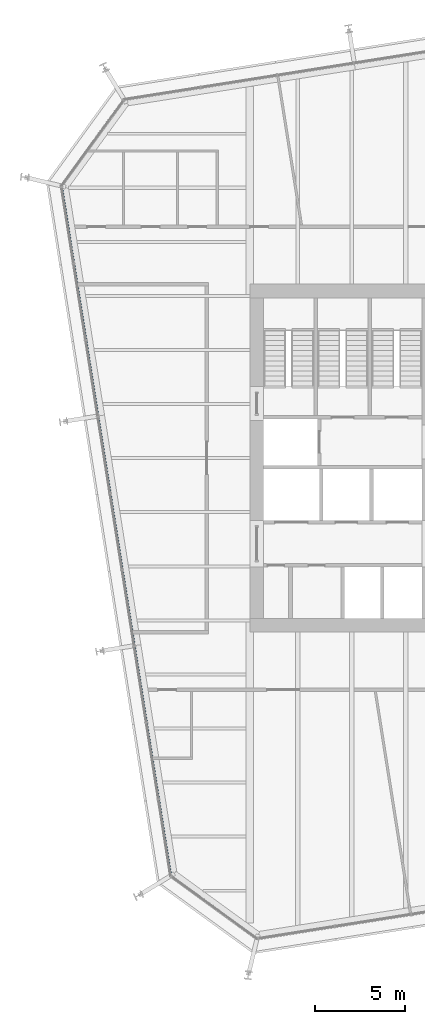
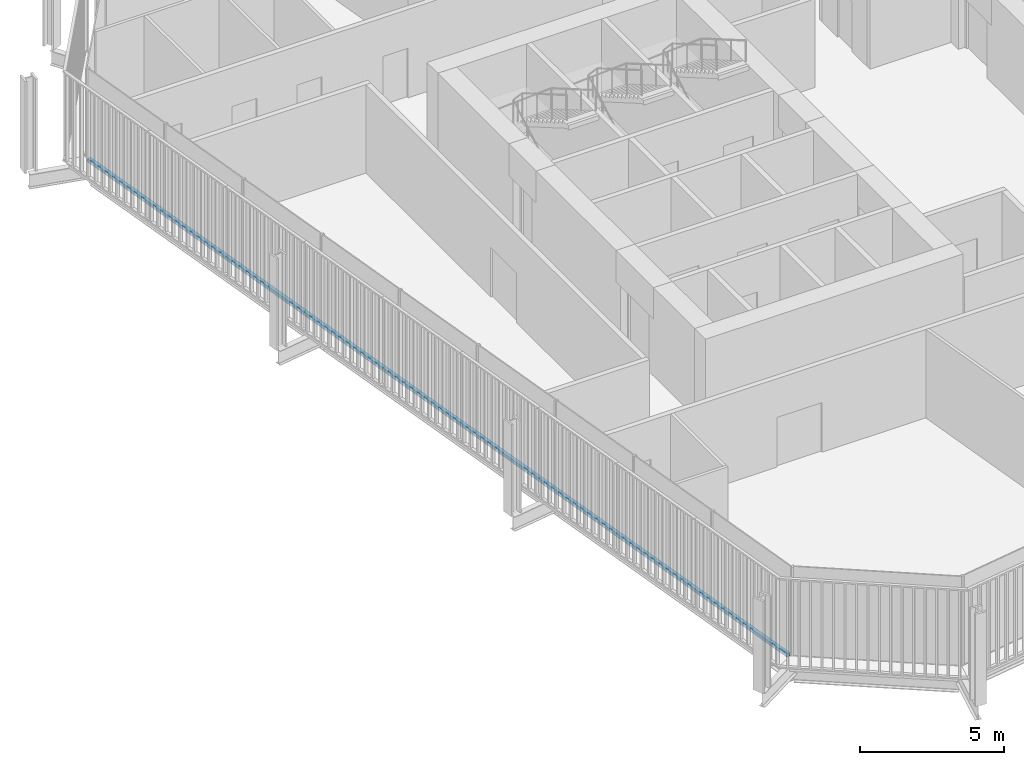
# One storey, part 5 of 21: 1 member, 1 element without a shape of its own.
"""IFC4 building model written with IfcOpenShell, lengths in metres."""

import ifcopenshell
import ifcopenshell.guid

model = None  # the IFC model being written
_history = None  # IfcOwnerHistory: only IFC2X3 demands one
_inside = {}  # id of a spatial element -> (the spatial element, [elements in it])
_under = {}  # id of a project, library or spatial element -> (it, [spatial elements below it])
_declared = {}  # id of a project -> (the project, [libraries it declares])
_typed = {}  # id of a type object -> (the type object, [elements of that type])
_made_of = {}  # id of a material, layer set ... -> (it, [elements and type objects made of it])


def new_model(schema):
    """Start an empty IFC model of exactly this schema.

    Asked for "IFC4X3", IfcOpenShell would pick the latest addendum, in which some entities
    have other attributes; the version numbers below select the first issue.
    IFC2X3 requires an IfcOwnerHistory on every rooted entity: one is made here for all.
    """
    global model, _history
    if schema == "IFC4X3":
        model = ifcopenshell.file(schema_version=(4, 3, 0, 0))
    else:
        model = ifcopenshell.file(schema=schema)
    _inside.clear()
    _under.clear()
    _declared.clear()
    _typed.clear()
    _made_of.clear()
    _history = None
    if model.schema == "IFC2X3":
        org = make("IfcOrganization", Name="unknown")
        user = make(
            "IfcPersonAndOrganization",
            ThePerson=make("IfcPerson", FamilyName="unknown"),
            TheOrganization=org,
        )
        app = make(
            "IfcApplication",
            ApplicationDeveloper=org,
            Version="unknown",
            ApplicationFullName="unknown",
            ApplicationIdentifier="unknown",
        )
        _history = make(
            "IfcOwnerHistory",
            OwningUser=user,
            OwningApplication=app,
            ChangeAction="ADDED",
            CreationDate=0,
        )
    return model


def make(cls, **values):
    """One entity of the class cls with the attributes given. An attribute that is None is left unset."""
    return model.create_entity(
        cls, **{name: value for name, value in values.items() if value is not None}
    )


def rooted(cls, **values):
    """An entity with a GlobalId (a new one), such as an element, a storey or a relation."""
    return make(cls, GlobalId=ifcopenshell.guid.new(), OwnerHistory=_history, **values)


def si_unit(unit_type, name, prefix=None):
    """IfcSIUnit, for example si_unit("LENGTHUNIT", "METRE", prefix="MILLI")."""
    return make("IfcSIUnit", UnitType=unit_type, Prefix=prefix, Name=name)


def assignment(units):
    """IfcUnitAssignment: the units of a project."""
    return None if units is None else make("IfcUnitAssignment", Units=units)


def point(xyz):
    """IfcCartesianPoint."""
    return None if xyz is None else make("IfcCartesianPoint", Coordinates=xyz)


def direction(xyz):
    """IfcDirection."""
    return None if xyz is None else make("IfcDirection", DirectionRatios=xyz)


def frame(location, z_axis=None, x_axis=None):
    """IfcAxis2Placement3D, a coordinate frame: its origin and axes. An axis left out is left unset."""
    return make(
        "IfcAxis2Placement3D",
        Location=point(location),
        Axis=direction(z_axis),
        RefDirection=direction(x_axis),
    )


def frame_2d(location, x_axis=None):
    """IfcAxis2Placement2D, a coordinate frame in the plane: its origin and x axis."""
    return make(
        "IfcAxis2Placement2D", Location=point(location), RefDirection=direction(x_axis)
    )


def origin():
    """The frame at (0, 0, 0) with its axes left unset."""
    return frame((0.0, 0.0, 0.0))


def origin_2d():
    """The frame at (0, 0) in the plane with its x axis left unset."""
    return frame_2d((0.0, 0.0))


def place(relative_to, where):
    """IfcLocalPlacement: puts the frame where relative to a parent placement (None: the world)."""
    return make(
        "IfcLocalPlacement", PlacementRelTo=relative_to, RelativePlacement=where
    )


def context(
    kind, dimensions, precision=None, world=None, true_north=None, identifier=None
):
    """IfcGeometricRepresentationContext, for example the 3D "Model" context."""
    return make(
        "IfcGeometricRepresentationContext",
        ContextIdentifier=identifier,
        ContextType=kind,
        CoordinateSpaceDimension=dimensions,
        Precision=precision,
        WorldCoordinateSystem=world,
        TrueNorth=true_north,
    )


def subcontext(parent, identifier, kind, view, scale=None):
    """IfcGeometricRepresentationSubContext, for example "Body" below "Model"."""
    return make(
        "IfcGeometricRepresentationSubContext",
        ContextIdentifier=identifier,
        ContextType=kind,
        ParentContext=parent,
        TargetScale=scale,
        TargetView=view,
    )


def project(units=None, contexts=None):
    """IfcProject with its units and contexts."""
    return rooted(
        "IfcProject",
        Name="project",
        RepresentationContexts=contexts,
        UnitsInContext=assignment(units),
    )


def spatial(cls, under=None, at=None, **own):
    """A site, building, storey or space (cls), placed at a placement, below another one or the project."""
    s = rooted(cls, ObjectPlacement=at, **own)
    if under is not None:
        _under.setdefault(under.id(), (under, []))[1].append(s)
    return s


def profile(cls, at=None, kind="AREA", **sizes):
    """A parametric profile (cls). Its sizes go by their IFC names, for example OverallWidth=200.0."""
    return make(cls, ProfileType=kind, Position=at, **sizes)


def rectangle(**sizes):
    """IfcRectangleProfileDef."""
    return profile("IfcRectangleProfileDef", **sizes)


def extrude(swept, where, along, depth):
    """IfcExtrudedAreaSolid: the profile swept, set in the frame where, extruded along a direction by depth."""
    return make(
        "IfcExtrudedAreaSolid",
        SweptArea=swept,
        Position=where,
        ExtrudedDirection=direction(along),
        Depth=depth,
    )


def shape(context_of_items, identifier, shape_type, items):
    """IfcShapeRepresentation: the items that make up one representation, for example the "Body"."""
    return make(
        "IfcShapeRepresentation",
        ContextOfItems=context_of_items,
        RepresentationIdentifier=identifier,
        RepresentationType=shape_type,
        Items=items,
    )


def material(Name=None, Category=None):
    """IfcMaterial."""
    return make("IfcMaterial", Name=Name, Category=Category)


def layer(
    of_material, thickness, ventilated=None, Name=None, Category=None, Priority=None
):
    """IfcMaterialLayer: one layer of a wall or slab, of a material (None: an air gap)."""
    return make(
        "IfcMaterialLayer",
        Material=of_material,
        LayerThickness=thickness,
        IsVentilated=ventilated,
        Name=Name,
        Category=Category,
        Priority=Priority,
    )


def layer_set(layers, Name=None):
    """IfcMaterialLayerSet."""
    return make("IfcMaterialLayerSet", MaterialLayers=layers, LayerSetName=Name)


def material_profile(
    of_material, cross_section, Name=None, Category=None, Priority=None
):
    """IfcMaterialProfile: a cross section and its material."""
    return make(
        "IfcMaterialProfile",
        Name=Name,
        Material=of_material,
        Profile=cross_section,
        Priority=Priority,
        Category=Category,
    )


def profile_set(profiles, Name=None, composite=None):
    """IfcMaterialProfileSet."""
    return make(
        "IfcMaterialProfileSet",
        Name=Name,
        MaterialProfiles=profiles,
        CompositeProfile=composite,
    )


def made_of(thing, what):
    """Note that an element or type object is made of a material, layer set ...; save() writes the relation."""
    if what is not None:
        _made_of.setdefault(what.id(), (what, []))[1].append(thing)
    return thing


def type_object(cls, material=None, **own):
    """A type object (cls), such as IfcWallType, which elements share."""
    return made_of(rooted(cls, **own), material)


def element(
    cls,
    number,
    at=None,
    inside=None,
    cuts=None,
    type_object=None,
    material=None,
    context=None,
    identifier="Body",
    shape_type=None,
    held_by="IfcProductDefinitionShape",
    body=None,
    shapes=None,
    **own,
):
    """One element of the class cls, such as IfcWall. Its Tag is "e" and its number.

    at: its placement. inside: the storey or other place that contains it. cuts: it is an
    opening in that element (IfcRelVoidsElement). A single representation is given by context,
    identifier, shape_type and body (its items); several are given by shapes. held_by: the class
    of the entity that holds the representations. save() writes the other relations.
    """
    e = rooted(cls, Tag="e%d" % number, ObjectPlacement=at, **own)
    if body is not None:
        shapes = [shape(context, identifier, shape_type, body)]
    if shapes is not None:
        e.Representation = make(held_by, Representations=shapes)
    if inside is not None:
        _inside.setdefault(inside.id(), (inside, []))[1].append(e)
    if cuts is not None:
        rooted(
            "IfcRelVoidsElement", RelatingBuildingElement=cuts, RelatedOpeningElement=e
        )
    if type_object is not None:
        _typed.setdefault(type_object.id(), (type_object, []))[1].append(e)
    return made_of(e, material)


def aggregate(whole, parts):
    """IfcRelAggregates: a whole, such as a stair, and the parts it consists of."""
    return rooted("IfcRelAggregates", RelatingObject=whole, RelatedObjects=parts)


def save(model, path):
    """Write the relations noted so far, then the file.

    IfcRelAggregates (storeys below a building ...), IfcRelContainedInSpatialStructure (elements
    in a storey), IfcRelDefinesByType, IfcRelAssociatesMaterial and IfcRelDeclares: one each for
    every whole, place, type object, material and project.
    """
    for whole, parts in _under.values():
        aggregate(whole, parts)
    for where, things in _inside.values():
        rooted(
            "IfcRelContainedInSpatialStructure",
            RelatedElements=things,
            RelatingStructure=where,
        )
    for kind, things in _typed.values():
        rooted("IfcRelDefinesByType", RelatedObjects=things, RelatingType=kind)
    for what, things in _made_of.values():
        rooted("IfcRelAssociatesMaterial", RelatedObjects=things, RelatingMaterial=what)
    for by, libraries in _declared.values():
        rooted("IfcRelDeclares", RelatingContext=by, RelatedDefinitions=libraries)
    model.write(path)


model = new_model("IFC4")

# Units and contexts
model_context = context("Model", 3, precision=1e-05, world=origin(), true_north=direction((0.0, 1.0)))
body_context = subcontext(model_context, "Body", "Model", "MODEL_VIEW")
ifc_project = project(units=[si_unit("LENGTHUNIT", "METRE"), si_unit("AREAUNIT", "SQUARE_METRE"), si_unit("VOLUMEUNIT", "CUBIC_METRE"), si_unit("PLANEANGLEUNIT", "RADIAN"), si_unit("MASSUNIT", "GRAM", prefix="KILO")], contexts=[model_context])

# Site, building, storey
site_placement = place(None, origin())
site = spatial("IfcSite", under=ifc_project, at=site_placement, CompositionType="ELEMENT")
building_placement = place(site_placement, origin())
building = spatial("IfcBuilding", under=site, at=building_placement, Name="Millrace Tower", CompositionType="ELEMENT")
storey_placement = place(building_placement, frame((0.0, 0.0, 133.39990234375)))
storey = spatial("IfcBuildingStorey", under=building, at=storey_placement, Name="L29", CompositionType="ELEMENT", Elevation=133.39990234375)

# Curtain wall, member
ifc_material_1 = material(Name="Aluminium and glass", Category="aluminium")
ifc_layer = layer(ifc_material_1, 0.14990234375)
ifc_layer_set = layer_set([ifc_layer], Name="Aluminium and glass")
curtain_wall_type = type_object("IfcCurtainWallType", Name="CW-1 office vision curtain wall", PredefinedType="NOTDEFINED", material=ifc_layer_set)
curtain_wall_placement = place(storey_placement, origin())
curtain_wall = element("IfcCurtainWall", 1, at=curtain_wall_placement, inside=storey, type_object=curtain_wall_type, Name="Curtain wall C-F08 L29", PredefinedType="NOTDEFINED")
ifc_material_2 = material(Name="Aluminium", Category="aluminium")
ifc_material_profile = material_profile(ifc_material_2, rectangle(XDim=0.14990234375, YDim=0.139892578125, at=origin_2d()))
ifc_profile_set = profile_set([ifc_material_profile], Name="Aluminium")
member_type = type_object("IfcMemberType", Name="CW-1 office vision curtain wall transom", PredefinedType="USERDEFINED", material=ifc_profile_set)
member_placement = place(storey_placement, frame((-25.09619140625, 14.97509765625, 0.070068359375), z_axis=(0.156433422663, -0.987688505691, 0.0), x_axis=(0.987688505691, 0.156433422663, 0.0)))
member = element("IfcMember", 2, at=member_placement, type_object=member_type, Name="CW1 transom C-F08.1", ObjectType="TRANSOM", PredefinedType="USERDEFINED", context=body_context, shape_type="SweptSolid", body=[
    extrude(rectangle(XDim=0.14990234375, YDim=0.139892578125, at=origin_2d()), origin(), (0.0, 0.0, 1.0), 38.5),
])
aggregate(curtain_wall, [member])

save(model, "model.ifc")
